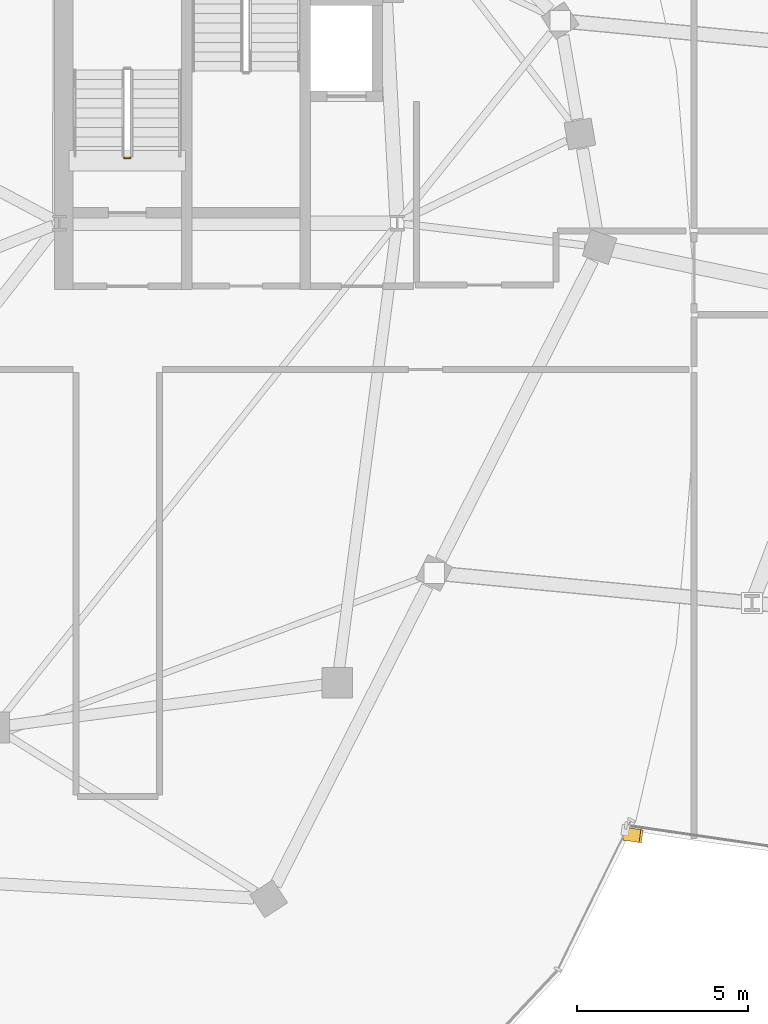
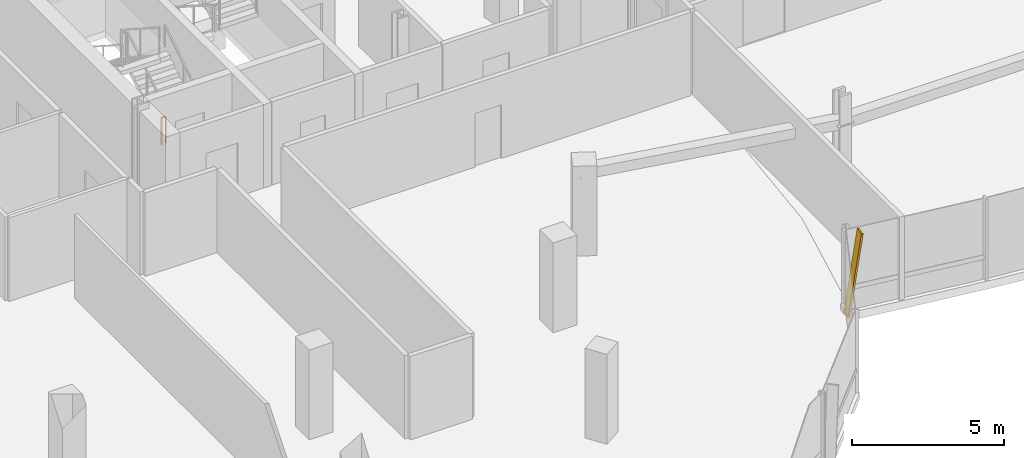
# One storey, part 21 of 25: 1 railing, 1 shading device.
"""IFC4 building model written with IfcOpenShell, lengths in metres."""

from ifc_helpers import new_model, si_unit, direction, frame, origin, origin_2d, place, context, subcontext, project, spatial, rectangle, extrude, material, material_profile, profile_set, type_object, element, save


model = new_model("IFC4")

# Units and contexts
model_context = context("Model", 3, precision=1e-05, world=origin(), true_north=direction((0.0, 1.0)))
body_context = subcontext(model_context, "Body", "Model", "MODEL_VIEW")
ifc_project = project(units=[si_unit("LENGTHUNIT", "METRE"), si_unit("AREAUNIT", "SQUARE_METRE"), si_unit("VOLUMEUNIT", "CUBIC_METRE"), si_unit("PLANEANGLEUNIT", "RADIAN"), si_unit("MASSUNIT", "GRAM", prefix="KILO"), si_unit("THERMODYNAMICTEMPERATUREUNIT", "KELVIN"), si_unit("POWERUNIT", "WATT")], contexts=[model_context])

# Site, building, storey
site_placement = place(None, origin())
site = spatial("IfcSite", under=ifc_project, at=site_placement, CompositionType="ELEMENT")
building_placement = place(site_placement, origin())
building = spatial("IfcBuilding", under=site, at=building_placement, Name="Cundina Bronze Exchange", CompositionType="ELEMENT")
storey_placement = place(building_placement, frame((0.0, 0.0, 239.60009765625)))
storey = spatial("IfcBuildingStorey", under=building, at=storey_placement, Name="L63", CompositionType="ELEMENT", Elevation=239.60009765625)

# Railing
ifc_material_1 = material(Name="Steel ASTM A36 Painted", Category="steel")
railing_type = type_object("IfcRailingType", Name="RLG-STG-1100", PredefinedType="GUARDRAIL", material=ifc_material_1)
railing_placement = place(storey_placement, frame((-29.239990234375, 5.800048828125, 0.0)))
element("IfcRailing", 1, at=railing_placement, inside=storey, type_object=railing_type, Name="L63 ST-W1 stair guard 4", PredefinedType="GUARDRAIL", context=body_context, shape_type="SweptSolid", body=[
    extrude(rectangle(XDim=0.048095703125, YDim=0.048095703125, at=origin_2d()), frame((0.0, 0.0, 1.076171875), z_axis=(-1.0, 0.0, 0.0), x_axis=(0.0, -1.0, 0.0)), (0.0, 0.0, 1.0), 0.159912109375),
    extrude(rectangle(XDim=0.0419921875, YDim=0.0419921875, at=origin_2d()), origin(), (0.0, 0.0, 1.0), 1.052001953125),
    extrude(rectangle(XDim=0.0419921875, YDim=0.0419921875, at=origin_2d()), frame((-0.159912109375, 0.0, 0.0)), (0.0, 0.0, 1.0), 1.052001953125),
])

# Shading device
ifc_material_2 = material(Name="Anodised Bronze Aluminium 6063-T6", Category="aluminium")
ifc_material_profile = material_profile(ifc_material_2, rectangle(XDim=0.070068359375, YDim=0.3798828125, at=origin_2d()), Name="FIN70X380", Category="aluminium")
ifc_profile_set = profile_set([ifc_material_profile], Name="Anodised Bronze Aluminium 6063-T6")
shading_device_type = type_object("IfcShadingDeviceType", Name="SHD-FIN-BRZ380", PredefinedType="USERDEFINED", material=ifc_profile_set)
shading_device_placement = place(storey_placement, frame((-14.8154296875, -13.90625, 0.02001953125), z_axis=(0.145051508968, -0.021168873868, 0.989197623595), x_axis=(-0.978828704224, 0.142850643371, 0.1465880673)))
element("IfcShadingDevice", 2, at=shading_device_placement, inside=storey, type_object=shading_device_type, Name="L63 Diagonal Bronze Solar Fin 1", ObjectType="FIN", PredefinedType="USERDEFINED", context=body_context, shape_type="SweptSolid", body=[
    extrude(rectangle(XDim=0.070068359375, YDim=0.3798828125, at=origin_2d()), origin(), (0.0, 0.0, 1.0), 3.275390625),
])

save(model, "model.ifc")
